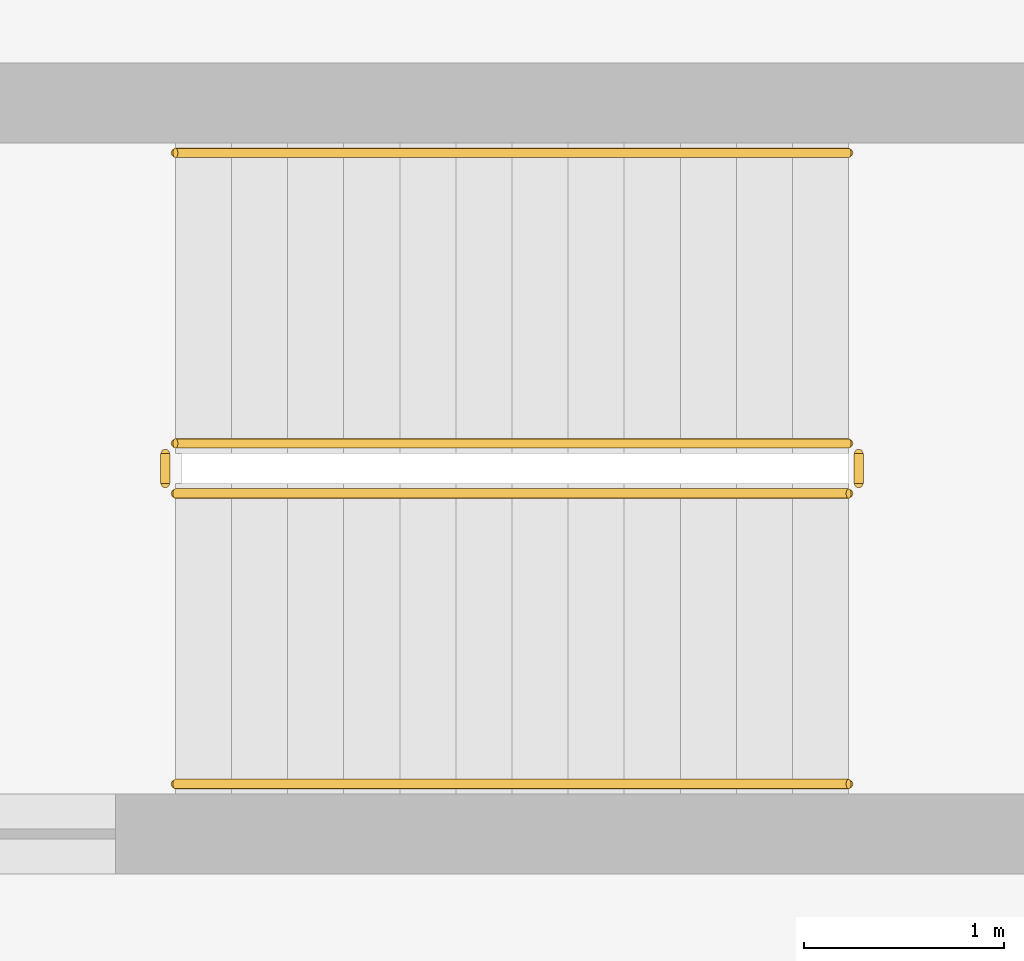
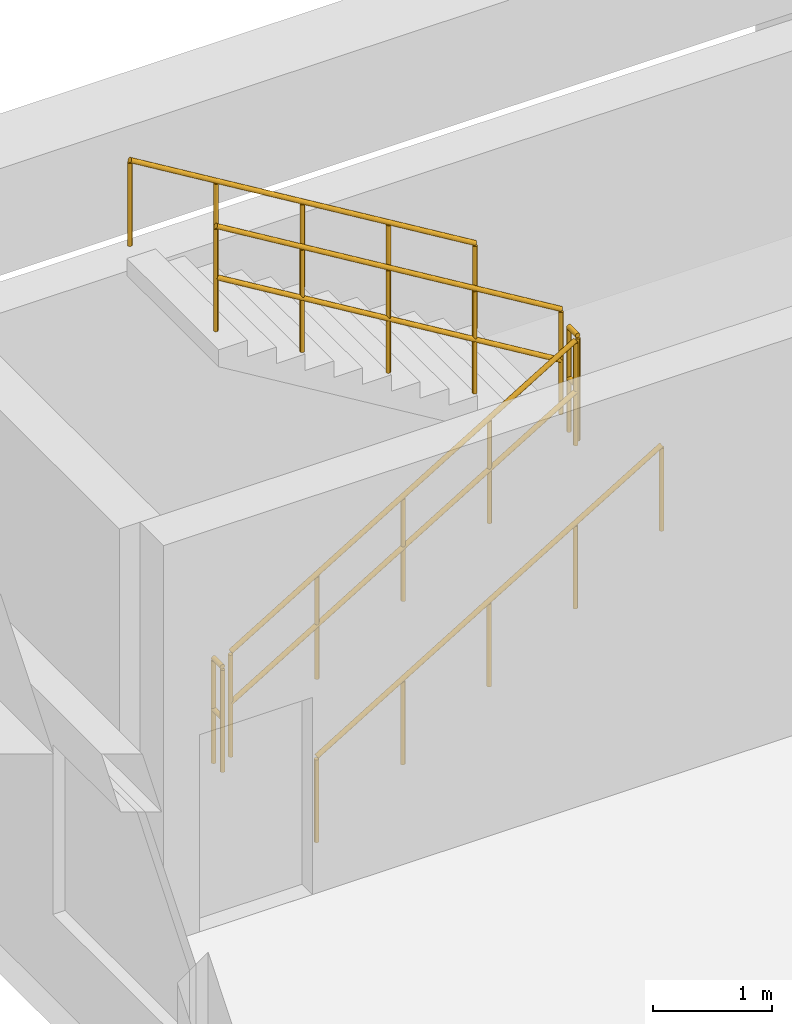
# One storey, part 15 of 16: 6 railings.
"""IFC4 building model written with IfcOpenShell, lengths in metres."""

from ifc_helpers import new_model, si_unit, direction, frame, origin, origin_2d, place, context, subcontext, project, spatial, circle, extrude, material, type_object, element, save


model = new_model("IFC4")

# Units and contexts
model_context = context("Model", 3, precision=1e-05, world=origin(), true_north=direction((0.0, 1.0)))
body_context = subcontext(model_context, "Body", "Model", "MODEL_VIEW")
ifc_project = project(units=[si_unit("LENGTHUNIT", "METRE"), si_unit("AREAUNIT", "SQUARE_METRE"), si_unit("VOLUMEUNIT", "CUBIC_METRE"), si_unit("PLANEANGLEUNIT", "RADIAN"), si_unit("MASSUNIT", "GRAM", prefix="KILO")], contexts=[model_context])

# Site, building, storey
site_placement = place(None, origin())
site = spatial("IfcSite", under=ifc_project, at=site_placement, CompositionType="ELEMENT")
building_placement = place(site_placement, origin())
building = spatial("IfcBuilding", under=site, at=building_placement, Name="Veraguas Prism Commons", CompositionType="ELEMENT")
storey_placement = place(building_placement, frame((0.0, 0.0, 14.0)))
storey = spatial("IfcBuildingStorey", under=building, at=storey_placement, Name="L03", CompositionType="ELEMENT", Elevation=14.0)

# Railings
ifc_material = material(Name="Stainless steel AISI 316", Category="steel")
railing_type_1 = type_object("IfcRailingType", Name="Stair and Ramp Stainless Handrail 900", PredefinedType="HANDRAIL", material=ifc_material)
railing_1_placement = place(storey_placement, frame((4.949951171875, 41.31005859375, 0.169189453125)))
element("IfcRailing", 1, at=railing_1_placement, inside=storey, type_object=railing_type_1, Name="Stair Handrail ST-M2 L03-1", PredefinedType="HANDRAIL", context=body_context, shape_type="SweptSolid", body=[
    extrude(circle(Radius=0.02392578125, at=origin_2d()), frame((0.0, 0.0, 0.8759765625), z_axis=(0.855836976705, 0.0, 0.517245656632), x_axis=(0.0, 1.0, 0.0)), (0.0, 0.0, 1.0), 3.926025390625),
    extrude(circle(Radius=0.02099609375, at=origin_2d()), origin(), (0.0, 0.0, 1.0), 0.851806640625),
    extrude(circle(Radius=0.02099609375, at=origin_2d()), frame((0.840087890625, 0.0, 0.5078125)), (0.0, 0.0, 1.0), 0.851806640625),
    extrude(circle(Radius=0.02099609375, at=origin_2d()), frame((1.68017578125, 0.0, 1.015380859375)), (0.0, 0.0, 1.0), 0.851806640625),
    extrude(circle(Radius=0.02099609375, at=origin_2d()), frame((2.52001953125, 0.0, 1.52294921875)), (0.0, 0.0, 1.0), 0.851806640625),
    extrude(circle(Radius=0.02099609375, at=origin_2d()), frame((3.360107421875, 0.0, 2.03076171875)), (0.0, 0.0, 1.0), 0.851806640625),
])
railing_2_placement = place(storey_placement, frame((8.31005859375, 44.4599609375, 2.369140625)))
element("IfcRailing", 2, at=railing_2_placement, inside=storey, type_object=railing_type_1, Name="Stair Handrail ST-M2 L03-2", PredefinedType="HANDRAIL", context=body_context, shape_type="SweptSolid", body=[
    extrude(circle(Radius=0.02392578125, at=origin_2d()), frame((0.0, 0.0, 0.8759765625), z_axis=(-0.855836976705, 0.0, 0.517245656632), x_axis=(0.0, -1.0, 0.0)), (0.0, 0.0, 1.0), 3.926025390625),
    extrude(circle(Radius=0.02099609375, at=origin_2d()), origin(), (0.0, 0.0, 1.0), 0.851806640625),
    extrude(circle(Radius=0.02099609375, at=origin_2d()), frame((-0.840087890625, 0.0, 0.5078125)), (0.0, 0.0, 1.0), 0.851806640625),
    extrude(circle(Radius=0.02099609375, at=origin_2d()), frame((-1.68017578125, 0.0, 1.015380859375)), (0.0, 0.0, 1.0), 0.851806640625),
    extrude(circle(Radius=0.02099609375, at=origin_2d()), frame((-2.52001953125, 0.0, 1.52294921875)), (0.0, 0.0, 1.0), 0.851806640625),
    extrude(circle(Radius=0.02099609375, at=origin_2d()), frame((-3.360107421875, 0.0, 2.03076171875)), (0.0, 0.0, 1.0), 0.851806640625),
])
railing_type_2 = type_object("IfcRailingType", Name="Stairwell Safety Guardrail 1100", PredefinedType="GUARDRAIL", material=ifc_material)
railing_3_placement = place(storey_placement, frame((4.949951171875, 42.760009765625, 0.169189453125)))
element("IfcRailing", 3, at=railing_3_placement, inside=storey, type_object=railing_type_2, Name="Stair Guard ST-M2 L03-1", PredefinedType="GUARDRAIL", context=body_context, shape_type="SweptSolid", body=[
    extrude(circle(Radius=0.02392578125, at=origin_2d()), frame((0.0, 0.0, 1.076171875), z_axis=(0.855836976705, 0.0, 0.517245656632), x_axis=(0.0, 1.0, 0.0)), (0.0, 0.0, 1.0), 3.926025390625),
    extrude(circle(Radius=0.02392578125, at=origin_2d()), frame((0.0, 0.0, 0.550048828125), z_axis=(0.855836976705, 0.0, 0.517245656632), x_axis=(0.0, 1.0, 0.0)), (0.0, 0.0, 1.0), 3.926025390625),
    extrude(circle(Radius=0.02099609375, at=origin_2d()), origin(), (0.0, 0.0, 1.0), 1.052001953125),
    extrude(circle(Radius=0.02099609375, at=origin_2d()), frame((0.840087890625, 0.0, 0.5078125)), (0.0, 0.0, 1.0), 1.052001953125),
    extrude(circle(Radius=0.02099609375, at=origin_2d()), frame((1.68017578125, 0.0, 1.015380859375)), (0.0, 0.0, 1.0), 1.052001953125),
    extrude(circle(Radius=0.02099609375, at=origin_2d()), frame((2.52001953125, 0.0, 1.52294921875)), (0.0, 0.0, 1.0), 1.052001953125),
    extrude(circle(Radius=0.02099609375, at=origin_2d()), frame((3.360107421875, 0.0, 2.03076171875)), (0.0, 0.0, 1.0), 1.052001953125),
])
railing_4_placement = place(storey_placement, frame((8.360107421875, 42.81005859375, 2.199951171875)))
element("IfcRailing", 4, at=railing_4_placement, inside=storey, type_object=railing_type_2, Name="Stair Guard ST-M2 L03-2", PredefinedType="GUARDRAIL", context=body_context, shape_type="SweptSolid", body=[
    extrude(circle(Radius=0.02392578125, at=origin_2d()), frame((0.0, 0.0, 1.076171875), z_axis=(0.0, 1.0, 0.0), x_axis=(-1.0, 0.0, 0.0)), (0.0, 0.0, 1.0), 0.14990234375),
    extrude(circle(Radius=0.02392578125, at=origin_2d()), frame((0.0, 0.0, 0.550048828125), z_axis=(0.0, 1.0, 0.0), x_axis=(-1.0, 0.0, 0.0)), (0.0, 0.0, 1.0), 0.14990234375),
    extrude(circle(Radius=0.02099609375, at=origin_2d()), origin(), (0.0, 0.0, 1.0), 1.052001953125),
    extrude(circle(Radius=0.02099609375, at=origin_2d()), frame((0.0, 0.14990234375, 0.0)), (0.0, 0.0, 1.0), 1.052001953125),
])
railing_5_placement = place(storey_placement, frame((8.31005859375, 43.010009765625, 2.369140625)))
element("IfcRailing", 5, at=railing_5_placement, inside=storey, type_object=railing_type_2, Name="Stair Guard ST-M2 L03-3", PredefinedType="GUARDRAIL", context=body_context, shape_type="SweptSolid", body=[
    extrude(circle(Radius=0.02392578125, at=origin_2d()), frame((0.0, 0.0, 1.076171875), z_axis=(-0.855836976705, 0.0, 0.517245656632), x_axis=(0.0, -1.0, 0.0)), (0.0, 0.0, 1.0), 3.926025390625),
    extrude(circle(Radius=0.02392578125, at=origin_2d()), frame((0.0, 0.0, 0.550048828125), z_axis=(-0.855836976705, 0.0, 0.517245656632), x_axis=(0.0, -1.0, 0.0)), (0.0, 0.0, 1.0), 3.926025390625),
    extrude(circle(Radius=0.02099609375, at=origin_2d()), origin(), (0.0, 0.0, 1.0), 1.052001953125),
    extrude(circle(Radius=0.02099609375, at=origin_2d()), frame((-0.840087890625, 0.0, 0.5078125)), (0.0, 0.0, 1.0), 1.052001953125),
    extrude(circle(Radius=0.02099609375, at=origin_2d()), frame((-1.68017578125, 0.0, 1.015380859375)), (0.0, 0.0, 1.0), 1.052001953125),
    extrude(circle(Radius=0.02099609375, at=origin_2d()), frame((-2.52001953125, 0.0, 1.52294921875)), (0.0, 0.0, 1.0), 1.052001953125),
    extrude(circle(Radius=0.02099609375, at=origin_2d()), frame((-3.360107421875, 0.0, 2.03076171875)), (0.0, 0.0, 1.0), 1.052001953125),
])
railing_6_placement = place(storey_placement, frame((4.89990234375, 42.81005859375, 0.0)))
element("IfcRailing", 6, at=railing_6_placement, inside=storey, type_object=railing_type_2, Name="Stair Guard ST-M2 L03-4", PredefinedType="GUARDRAIL", context=body_context, shape_type="SweptSolid", body=[
    extrude(circle(Radius=0.02392578125, at=origin_2d()), frame((0.0, 0.0, 1.076171875), z_axis=(0.0, 1.0, 0.0), x_axis=(-1.0, 0.0, 0.0)), (0.0, 0.0, 1.0), 0.14990234375),
    extrude(circle(Radius=0.02392578125, at=origin_2d()), frame((0.0, 0.0, 0.550048828125), z_axis=(0.0, 1.0, 0.0), x_axis=(-1.0, 0.0, 0.0)), (0.0, 0.0, 1.0), 0.14990234375),
    extrude(circle(Radius=0.02099609375, at=origin_2d()), origin(), (0.0, 0.0, 1.0), 1.052001953125),
    extrude(circle(Radius=0.02099609375, at=origin_2d()), frame((0.0, 0.14990234375, 0.0)), (0.0, 0.0, 1.0), 1.052001953125),
])

save(model, "model.ifc")
